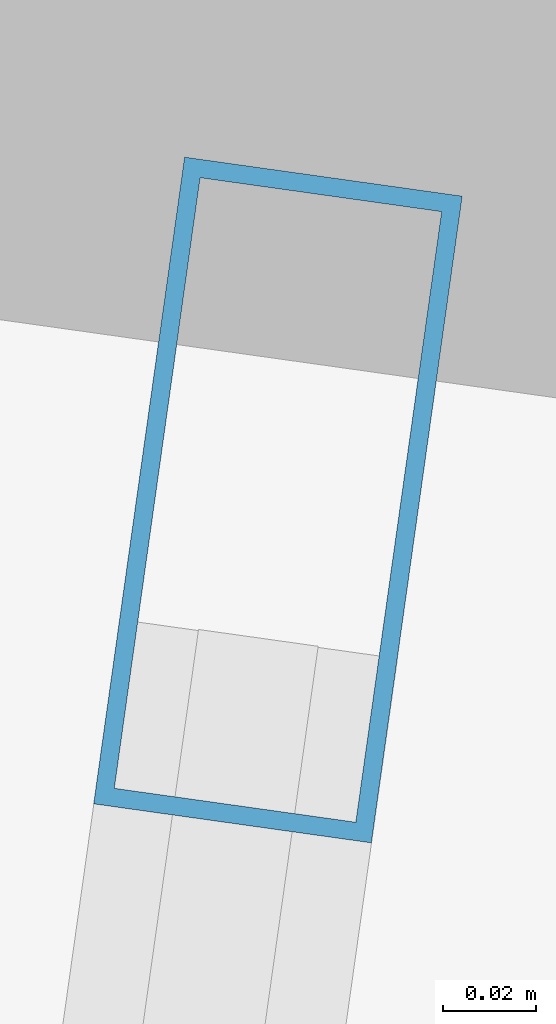
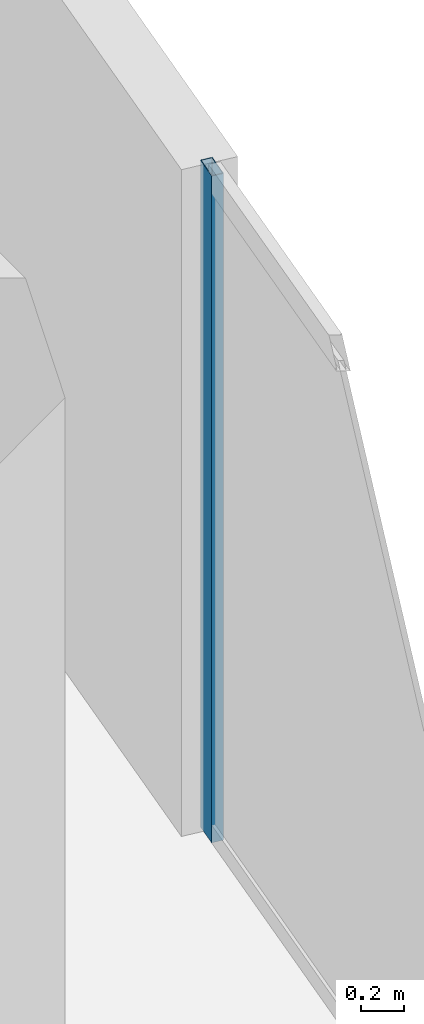
# One storey, part 18 of 24: 1 member, 1 element without a shape of its own.
"""IFC4 building model written with IfcOpenShell, lengths in metres."""

from ifc_helpers import new_model, si_unit, direction, frame, origin, origin_2d, place, context, subcontext, project, spatial, hollow_rectangle, extrude, material, layer, layer_set, material_profile, profile_set, type_object, element, aggregate, save


model = new_model("IFC4")

# Units and contexts
model_context = context("Model", 3, precision=1e-05, world=origin(), true_north=direction((0.0, 1.0)))
body_context = subcontext(model_context, "Body", "Model", "MODEL_VIEW")
ifc_project = project(units=[si_unit("LENGTHUNIT", "METRE"), si_unit("AREAUNIT", "SQUARE_METRE"), si_unit("VOLUMEUNIT", "CUBIC_METRE"), si_unit("PLANEANGLEUNIT", "RADIAN"), si_unit("MASSUNIT", "GRAM", prefix="KILO")], contexts=[model_context])

# Site, building, storey
site_placement = place(None, origin())
site = spatial("IfcSite", under=ifc_project, at=site_placement, CompositionType="ELEMENT")
building_placement = place(site_placement, origin())
building = spatial("IfcBuilding", under=site, at=building_placement, Name="Kravanh Interchange Tower", CompositionType="ELEMENT")
storey_placement = place(building_placement, frame((0.0, 0.0, 96.0)))
storey = spatial("IfcBuildingStorey", under=building, at=storey_placement, Name="L22", CompositionType="ELEMENT", Elevation=96.0)

# Curtain wall, member
ifc_material_1 = material(Name="Anodised Bronze Aluminium", Category="aluminium")
ifc_layer = layer(ifc_material_1, 0.179931640625)
ifc_layer_set = layer_set([ifc_layer], Name="Unitised Curtain Wall System CW-Z2 Mid Office")
curtain_wall_type = type_object("IfcCurtainWallType", Name="Unitised Curtain Wall System CW-Z2 Mid Office", PredefinedType="NOTDEFINED", material=ifc_layer_set)
curtain_wall_placement = place(storey_placement, origin())
curtain_wall = element("IfcCurtainWall", 1, at=curtain_wall_placement, inside=storey, type_object=curtain_wall_type, Name="L22 Unitised Curtain Wall CW-L22-01", PredefinedType="NOTDEFINED")
ifc_material_2 = material(Name="Anodised Bronze Aluminium", Category="aluminium")
ifc_material_profile = material_profile(ifc_material_2, hollow_rectangle(XDim=0.06005859375, YDim=0.139892578125, WallThickness=0.00390625, at=origin_2d()), Name="ALU60X140X4")
ifc_profile_set = profile_set([ifc_material_profile], Name="Anodised Bronze Aluminium")
member_type = type_object("IfcMemberType", Name="Curtain Wall Mullion ALU60X140X4 Bronze", PredefinedType="MULLION", material=ifc_profile_set)
member_placement = place(storey_placement, frame((68.370849609375, 37.770263671875, 0.0), z_axis=(0.0, 0.0, 1.0), x_axis=(0.990268103846, -0.13917285118, 0.0)))
member = element("IfcMember", 2, at=member_placement, type_object=member_type, Name="CW-Z2 mullion 1", PredefinedType="MULLION", context=body_context, shape_type="SweptSolid", body=[
    extrude(hollow_rectangle(XDim=0.06005859375, YDim=0.139892578125, WallThickness=0.00390625, at=origin_2d()), origin(), (0.0, 0.0, 1.0), 3.75),
])
aggregate(curtain_wall, [member])

save(model, "model.ifc")
